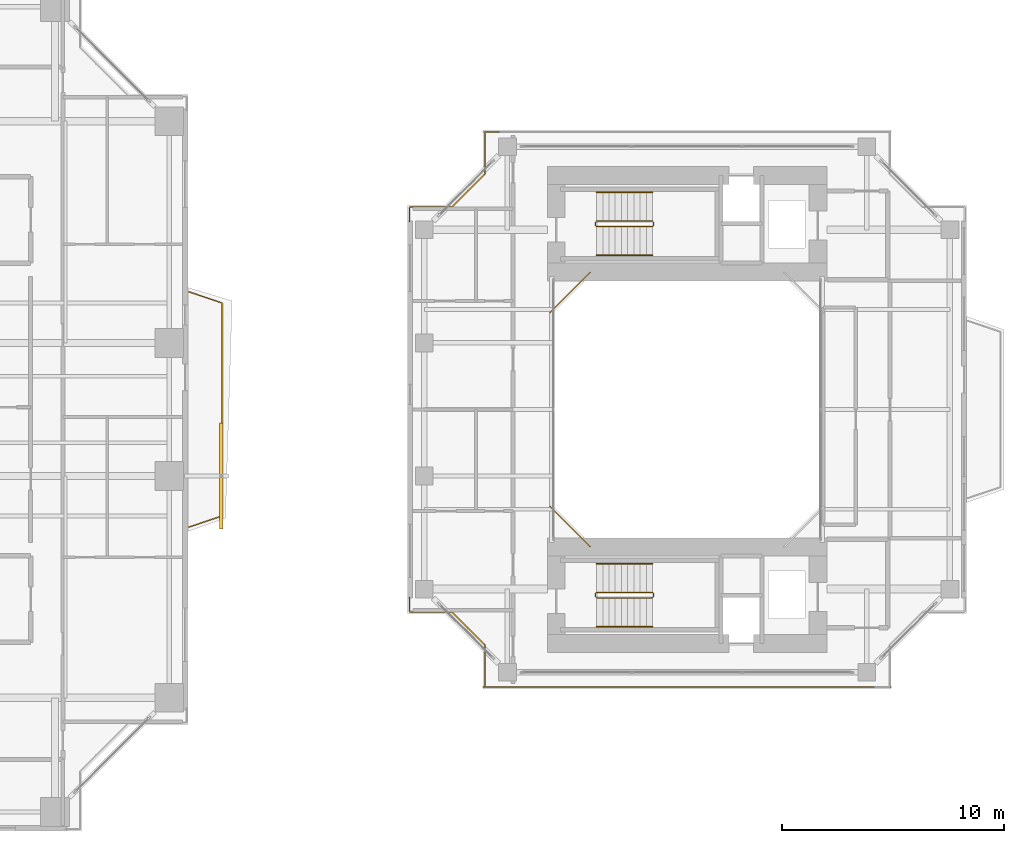
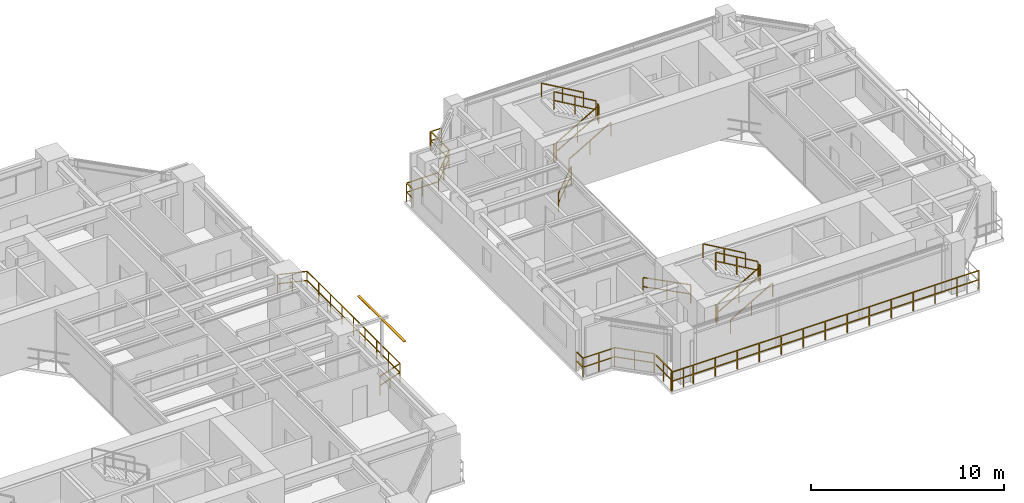
# One storey, part 21 of 23: 18 railings, 1 shading device.
"""IFC4 building model written with IfcOpenShell, lengths in metres."""

import ifcopenshell
import ifcopenshell.guid

model = None  # the IFC model being written
_history = None  # IfcOwnerHistory: only IFC2X3 demands one
_inside = {}  # id of a spatial element -> (the spatial element, [elements in it])
_under = {}  # id of a project, library or spatial element -> (it, [spatial elements below it])
_declared = {}  # id of a project -> (the project, [libraries it declares])
_typed = {}  # id of a type object -> (the type object, [elements of that type])
_made_of = {}  # id of a material, layer set ... -> (it, [elements and type objects made of it])


def new_model(schema):
    """Start an empty IFC model of exactly this schema.

    Asked for "IFC4X3", IfcOpenShell would pick the latest addendum, in which some entities
    have other attributes; the version numbers below select the first issue.
    IFC2X3 requires an IfcOwnerHistory on every rooted entity: one is made here for all.
    """
    global model, _history
    if schema == "IFC4X3":
        model = ifcopenshell.file(schema_version=(4, 3, 0, 0))
    else:
        model = ifcopenshell.file(schema=schema)
    _inside.clear()
    _under.clear()
    _declared.clear()
    _typed.clear()
    _made_of.clear()
    _history = None
    if model.schema == "IFC2X3":
        org = make("IfcOrganization", Name="unknown")
        user = make(
            "IfcPersonAndOrganization",
            ThePerson=make("IfcPerson", FamilyName="unknown"),
            TheOrganization=org,
        )
        app = make(
            "IfcApplication",
            ApplicationDeveloper=org,
            Version="unknown",
            ApplicationFullName="unknown",
            ApplicationIdentifier="unknown",
        )
        _history = make(
            "IfcOwnerHistory",
            OwningUser=user,
            OwningApplication=app,
            ChangeAction="ADDED",
            CreationDate=0,
        )
    return model


def make(cls, **values):
    """One entity of the class cls with the attributes given. An attribute that is None is left unset."""
    return model.create_entity(
        cls, **{name: value for name, value in values.items() if value is not None}
    )


def rooted(cls, **values):
    """An entity with a GlobalId (a new one), such as an element, a storey or a relation."""
    return make(cls, GlobalId=ifcopenshell.guid.new(), OwnerHistory=_history, **values)


def si_unit(unit_type, name, prefix=None):
    """IfcSIUnit, for example si_unit("LENGTHUNIT", "METRE", prefix="MILLI")."""
    return make("IfcSIUnit", UnitType=unit_type, Prefix=prefix, Name=name)


def assignment(units):
    """IfcUnitAssignment: the units of a project."""
    return None if units is None else make("IfcUnitAssignment", Units=units)


def point(xyz):
    """IfcCartesianPoint."""
    return None if xyz is None else make("IfcCartesianPoint", Coordinates=xyz)


def direction(xyz):
    """IfcDirection."""
    return None if xyz is None else make("IfcDirection", DirectionRatios=xyz)


def frame(location, z_axis=None, x_axis=None):
    """IfcAxis2Placement3D, a coordinate frame: its origin and axes. An axis left out is left unset."""
    return make(
        "IfcAxis2Placement3D",
        Location=point(location),
        Axis=direction(z_axis),
        RefDirection=direction(x_axis),
    )


def frame_2d(location, x_axis=None):
    """IfcAxis2Placement2D, a coordinate frame in the plane: its origin and x axis."""
    return make(
        "IfcAxis2Placement2D", Location=point(location), RefDirection=direction(x_axis)
    )


def origin():
    """The frame at (0, 0, 0) with its axes left unset."""
    return frame((0.0, 0.0, 0.0))


def origin_2d():
    """The frame at (0, 0) in the plane with its x axis left unset."""
    return frame_2d((0.0, 0.0))


def place(relative_to, where):
    """IfcLocalPlacement: puts the frame where relative to a parent placement (None: the world)."""
    return make(
        "IfcLocalPlacement", PlacementRelTo=relative_to, RelativePlacement=where
    )


def context(
    kind, dimensions, precision=None, world=None, true_north=None, identifier=None
):
    """IfcGeometricRepresentationContext, for example the 3D "Model" context."""
    return make(
        "IfcGeometricRepresentationContext",
        ContextIdentifier=identifier,
        ContextType=kind,
        CoordinateSpaceDimension=dimensions,
        Precision=precision,
        WorldCoordinateSystem=world,
        TrueNorth=true_north,
    )


def subcontext(parent, identifier, kind, view, scale=None):
    """IfcGeometricRepresentationSubContext, for example "Body" below "Model"."""
    return make(
        "IfcGeometricRepresentationSubContext",
        ContextIdentifier=identifier,
        ContextType=kind,
        ParentContext=parent,
        TargetScale=scale,
        TargetView=view,
    )


def project(units=None, contexts=None):
    """IfcProject with its units and contexts."""
    return rooted(
        "IfcProject",
        Name="project",
        RepresentationContexts=contexts,
        UnitsInContext=assignment(units),
    )


def spatial(cls, under=None, at=None, **own):
    """A site, building, storey or space (cls), placed at a placement, below another one or the project."""
    s = rooted(cls, ObjectPlacement=at, **own)
    if under is not None:
        _under.setdefault(under.id(), (under, []))[1].append(s)
    return s


def profile(cls, at=None, kind="AREA", **sizes):
    """A parametric profile (cls). Its sizes go by their IFC names, for example OverallWidth=200.0."""
    return make(cls, ProfileType=kind, Position=at, **sizes)


def rectangle(**sizes):
    """IfcRectangleProfileDef."""
    return profile("IfcRectangleProfileDef", **sizes)


def extrude(swept, where, along, depth):
    """IfcExtrudedAreaSolid: the profile swept, set in the frame where, extruded along a direction by depth."""
    return make(
        "IfcExtrudedAreaSolid",
        SweptArea=swept,
        Position=where,
        ExtrudedDirection=direction(along),
        Depth=depth,
    )


def shape(context_of_items, identifier, shape_type, items):
    """IfcShapeRepresentation: the items that make up one representation, for example the "Body"."""
    return make(
        "IfcShapeRepresentation",
        ContextOfItems=context_of_items,
        RepresentationIdentifier=identifier,
        RepresentationType=shape_type,
        Items=items,
    )


def source(mapping_origin, context_of_items, identifier, shape_type, items):
    """IfcRepresentationMap: a shape defined once, which mapped items show again and again."""
    return make(
        "IfcRepresentationMap",
        MappingOrigin=mapping_origin,
        MappedRepresentation=shape(context_of_items, identifier, shape_type, items),
    )


def transform(
    local_origin,
    x_axis=None,
    y_axis=None,
    z_axis=None,
    scale=None,
    scale2=None,
    scale3=None,
    uniform=True,
):
    """IfcCartesianTransformationOperator3D, or its non-uniform kind. x_axis, y_axis, z_axis: its Axis1, 2, 3."""
    if uniform:
        return make(
            "IfcCartesianTransformationOperator3D",
            Axis1=direction(x_axis),
            Axis2=direction(y_axis),
            LocalOrigin=point(local_origin),
            Scale=scale,
            Axis3=direction(z_axis),
        )
    return make(
        "IfcCartesianTransformationOperator3DnonUniform",
        Axis1=direction(x_axis),
        Axis2=direction(y_axis),
        LocalOrigin=point(local_origin),
        Scale=scale,
        Axis3=direction(z_axis),
        Scale2=scale2,
        Scale3=scale3,
    )


def mapped(mapping_source, mapping_target):
    """IfcMappedItem: shows the shape of a source again, moved by a transform."""
    return make(
        "IfcMappedItem", MappingSource=mapping_source, MappingTarget=mapping_target
    )


def material(Name=None, Category=None):
    """IfcMaterial."""
    return make("IfcMaterial", Name=Name, Category=Category)


def material_profile(
    of_material, cross_section, Name=None, Category=None, Priority=None
):
    """IfcMaterialProfile: a cross section and its material."""
    return make(
        "IfcMaterialProfile",
        Name=Name,
        Material=of_material,
        Profile=cross_section,
        Priority=Priority,
        Category=Category,
    )


def profile_set(profiles, Name=None, composite=None):
    """IfcMaterialProfileSet."""
    return make(
        "IfcMaterialProfileSet",
        Name=Name,
        MaterialProfiles=profiles,
        CompositeProfile=composite,
    )


def made_of(thing, what):
    """Note that an element or type object is made of a material, layer set ...; save() writes the relation."""
    if what is not None:
        _made_of.setdefault(what.id(), (what, []))[1].append(thing)
    return thing


def type_object(cls, material=None, **own):
    """A type object (cls), such as IfcWallType, which elements share."""
    return made_of(rooted(cls, **own), material)


def element(
    cls,
    number,
    at=None,
    inside=None,
    cuts=None,
    type_object=None,
    material=None,
    context=None,
    identifier="Body",
    shape_type=None,
    held_by="IfcProductDefinitionShape",
    body=None,
    shapes=None,
    **own,
):
    """One element of the class cls, such as IfcWall. Its Tag is "e" and its number.

    at: its placement. inside: the storey or other place that contains it. cuts: it is an
    opening in that element (IfcRelVoidsElement). A single representation is given by context,
    identifier, shape_type and body (its items); several are given by shapes. held_by: the class
    of the entity that holds the representations. save() writes the other relations.
    """
    e = rooted(cls, Tag="e%d" % number, ObjectPlacement=at, **own)
    if body is not None:
        shapes = [shape(context, identifier, shape_type, body)]
    if shapes is not None:
        e.Representation = make(held_by, Representations=shapes)
    if inside is not None:
        _inside.setdefault(inside.id(), (inside, []))[1].append(e)
    if cuts is not None:
        rooted(
            "IfcRelVoidsElement", RelatingBuildingElement=cuts, RelatedOpeningElement=e
        )
    if type_object is not None:
        _typed.setdefault(type_object.id(), (type_object, []))[1].append(e)
    return made_of(e, material)


def aggregate(whole, parts):
    """IfcRelAggregates: a whole, such as a stair, and the parts it consists of."""
    return rooted("IfcRelAggregates", RelatingObject=whole, RelatedObjects=parts)


def save(model, path):
    """Write the relations noted so far, then the file.

    IfcRelAggregates (storeys below a building ...), IfcRelContainedInSpatialStructure (elements
    in a storey), IfcRelDefinesByType, IfcRelAssociatesMaterial and IfcRelDeclares: one each for
    every whole, place, type object, material and project.
    """
    for whole, parts in _under.values():
        aggregate(whole, parts)
    for where, things in _inside.values():
        rooted(
            "IfcRelContainedInSpatialStructure",
            RelatedElements=things,
            RelatingStructure=where,
        )
    for kind, things in _typed.values():
        rooted("IfcRelDefinesByType", RelatedObjects=things, RelatingType=kind)
    for what, things in _made_of.values():
        rooted("IfcRelAssociatesMaterial", RelatedObjects=things, RelatingMaterial=what)
    for by, libraries in _declared.values():
        rooted("IfcRelDeclares", RelatingContext=by, RelatedDefinitions=libraries)
    model.write(path)


model = new_model("IFC4")

# Units and contexts
model_context = context("Model", 3, precision=1e-05, world=origin(), true_north=direction((0.0, 1.0)))
body_context = subcontext(model_context, "Body", "Model", "MODEL_VIEW")
ifc_project = project(units=[si_unit("LENGTHUNIT", "METRE"), si_unit("AREAUNIT", "SQUARE_METRE"), si_unit("VOLUMEUNIT", "CUBIC_METRE"), si_unit("PLANEANGLEUNIT", "RADIAN"), si_unit("MASSUNIT", "GRAM", prefix="KILO"), si_unit("THERMODYNAMICTEMPERATUREUNIT", "KELVIN"), si_unit("POWERUNIT", "WATT")], contexts=[model_context])

# Site, building, storey
site_placement = place(None, origin())
site = spatial("IfcSite", under=ifc_project, at=site_placement, CompositionType="ELEMENT")
building_placement = place(site_placement, origin())
building = spatial("IfcBuilding", under=site, at=building_placement, Name="Qiaomeng Ring Towers", CompositionType="ELEMENT")
storey_placement = place(building_placement, frame((0.0, 0.0, 89.25)))
storey = spatial("IfcBuildingStorey", under=building, at=storey_placement, Name="L25", CompositionType="ELEMENT", Elevation=89.25)

# Railings
ifc_material_1 = material(Name="Low-E pale-green laminated safety glass", Category="glass")
railing_type_1 = type_object("IfcRailingType", Name="ARC-RL-BAL1", PredefinedType="BALUSTRADE", material=ifc_material_1)
railing_1_placement = place(storey_placement, frame((38.050048828125, 17.699951171875, 0.0)))
element("IfcRailing", 1, at=railing_1_placement, inside=storey, type_object=railing_type_1, Name="L25 Balustrade ARC-BAL-L25-T1-E", PredefinedType="BALUSTRADE", context=body_context, shape_type="SweptSolid", body=[
    extrude(rectangle(XDim=0.048095703125, YDim=0.048095703125, at=origin_2d()), frame((0.0, 0.0, 1.17578125), z_axis=(0.948044476945, 0.318137815629, 0.0), x_axis=(-0.318137815629, 0.948044476945, 0.0)), (0.0, 0.0, 1.0), 1.571533203125),
    extrude(rectangle(XDim=0.048095703125, YDim=0.048095703125, at=origin_2d()), frame((0.0, 0.0, 0.60009765625), z_axis=(0.948044476945, 0.318137815629, 0.0), x_axis=(-0.318137815629, 0.948044476945, 0.0)), (0.0, 0.0, 1.0), 1.571533203125),
    extrude(rectangle(XDim=0.048095703125, YDim=0.048095703125, at=origin_2d()), frame((1.489990234375, 0.5, 1.17578125), z_axis=(0.0, 1.0, 0.0), x_axis=(-1.0, 0.0, 0.0)), (0.0, 0.0, 1.0), 9.60009765625),
    extrude(rectangle(XDim=0.048095703125, YDim=0.048095703125, at=origin_2d()), frame((1.489990234375, 0.5, 0.60009765625), z_axis=(0.0, 1.0, 0.0), x_axis=(-1.0, 0.0, 0.0)), (0.0, 0.0, 1.0), 9.60009765625),
    extrude(rectangle(XDim=0.048095703125, YDim=0.048095703125, at=origin_2d()), frame((1.489990234375, 10.10009765625, 1.17578125), z_axis=(-0.948044476945, 0.318137815629, 0.0), x_axis=(-0.318137815629, -0.948044476945, 0.0)), (0.0, 0.0, 1.0), 1.571533203125),
    extrude(rectangle(XDim=0.048095703125, YDim=0.048095703125, at=origin_2d()), frame((1.489990234375, 10.10009765625, 0.60009765625), z_axis=(-0.948044476945, 0.318137815629, 0.0), x_axis=(-0.318137815629, -0.948044476945, 0.0)), (0.0, 0.0, 1.0), 1.571533203125),
    extrude(rectangle(XDim=0.0419921875, YDim=0.0419921875, at=origin_2d()), origin(), (0.0, 0.0, 1.0), 1.15185546875),
    extrude(rectangle(XDim=0.0419921875, YDim=0.0419921875, at=origin_2d()), frame((0.7451171875, 0.25, 0.0)), (0.0, 0.0, 1.0), 1.15185546875),
    extrude(rectangle(XDim=0.0419921875, YDim=0.0419921875, at=origin_2d()), frame((1.489990234375, 0.5, 0.0)), (0.0, 0.0, 1.0), 1.15185546875),
    extrude(rectangle(XDim=0.0419921875, YDim=0.0419921875, at=origin_2d()), frame((1.489990234375, 1.699951171875, 0.0)), (0.0, 0.0, 1.0), 1.15185546875),
    extrude(rectangle(XDim=0.0419921875, YDim=0.0419921875, at=origin_2d()), frame((1.489990234375, 2.89990234375, 0.0)), (0.0, 0.0, 1.0), 1.15185546875),
    extrude(rectangle(XDim=0.0419921875, YDim=0.0419921875, at=origin_2d()), frame((1.489990234375, 4.10009765625, 0.0)), (0.0, 0.0, 1.0), 1.15185546875),
    extrude(rectangle(XDim=0.0419921875, YDim=0.0419921875, at=origin_2d()), frame((1.489990234375, 5.300048828125, 0.0)), (0.0, 0.0, 1.0), 1.15185546875),
    extrude(rectangle(XDim=0.0419921875, YDim=0.0419921875, at=origin_2d()), frame((1.489990234375, 6.5, 0.0)), (0.0, 0.0, 1.0), 1.15185546875),
    extrude(rectangle(XDim=0.0419921875, YDim=0.0419921875, at=origin_2d()), frame((1.489990234375, 7.7001953125, 0.0)), (0.0, 0.0, 1.0), 1.15185546875),
    extrude(rectangle(XDim=0.0419921875, YDim=0.0419921875, at=origin_2d()), frame((1.489990234375, 8.900146484375, 0.0)), (0.0, 0.0, 1.0), 1.15185546875),
    extrude(rectangle(XDim=0.0419921875, YDim=0.0419921875, at=origin_2d()), frame((1.489990234375, 10.10009765625, 0.0)), (0.0, 0.0, 1.0), 1.15185546875),
    extrude(rectangle(XDim=0.0419921875, YDim=0.0419921875, at=origin_2d()), frame((0.7451171875, 10.35009765625, 0.0)), (0.0, 0.0, 1.0), 1.15185546875),
    extrude(rectangle(XDim=0.0419921875, YDim=0.0419921875, at=origin_2d()), frame((0.0, 10.60009765625, 0.0)), (0.0, 0.0, 1.0), 1.15185546875),
])
railing_2_placement = place(storey_placement, frame((56.1201171875, 29.179931640625, 0.0)))
element("IfcRailing", 2, at=railing_2_placement, inside=storey, type_object=railing_type_1, Name="L25 Balustrade ARC-BAL-WELL2-L25-3", PredefinedType="BALUSTRADE", context=body_context, shape_type="SweptSolid", body=[
    extrude(rectangle(XDim=0.048095703125, YDim=0.048095703125, at=origin_2d()), frame((0.0, 0.0, 1.17578125), z_axis=(-0.707106781187, -0.707106781187, 0.0), x_axis=(0.707106781187, -0.707106781187, 0.0)), (0.0, 0.0, 1.0), 2.545654296875),
    extrude(rectangle(XDim=0.048095703125, YDim=0.048095703125, at=origin_2d()), frame((0.0, 0.0, 0.60009765625), z_axis=(-0.707106781187, -0.707106781187, 0.0), x_axis=(0.707106781187, -0.707106781187, 0.0)), (0.0, 0.0, 1.0), 2.545654296875),
    extrude(rectangle(XDim=0.0419921875, YDim=0.0419921875, at=origin_2d()), origin(), (0.0, 0.0, 1.0), 1.15185546875),
    extrude(rectangle(XDim=0.0419921875, YDim=0.0419921875, at=origin_2d()), frame((-0.89990234375, -0.89990234375, 0.0)), (0.0, 0.0, 1.0), 1.15185546875),
    extrude(rectangle(XDim=0.0419921875, YDim=0.0419921875, at=origin_2d()), frame((-1.800048828125, -1.800048828125, 0.0)), (0.0, 0.0, 1.0), 1.15185546875),
])
railing_3_placement = place(storey_placement, frame((54.320068359375, 18.6201171875, 0.0)))
element("IfcRailing", 3, at=railing_3_placement, inside=storey, type_object=railing_type_1, Name="L25 Balustrade ARC-BAL-WELL2-L25-4", PredefinedType="BALUSTRADE", context=body_context, shape_type="SweptSolid", body=[
    extrude(rectangle(XDim=0.048095703125, YDim=0.048095703125, at=origin_2d()), frame((0.0, 0.0, 1.17578125), z_axis=(0.707106781187, -0.707106781187, 0.0), x_axis=(0.707106781187, 0.707106781187, 0.0)), (0.0, 0.0, 1.0), 2.545654296875),
    extrude(rectangle(XDim=0.048095703125, YDim=0.048095703125, at=origin_2d()), frame((0.0, 0.0, 0.60009765625), z_axis=(0.707106781187, -0.707106781187, 0.0), x_axis=(0.707106781187, 0.707106781187, 0.0)), (0.0, 0.0, 1.0), 2.545654296875),
    extrude(rectangle(XDim=0.0419921875, YDim=0.0419921875, at=origin_2d()), origin(), (0.0, 0.0, 1.0), 1.15185546875),
    extrude(rectangle(XDim=0.0419921875, YDim=0.0419921875, at=origin_2d()), frame((0.89990234375, -0.89990234375, 0.0)), (0.0, 0.0, 1.0), 1.15185546875),
    extrude(rectangle(XDim=0.0419921875, YDim=0.0419921875, at=origin_2d()), frame((1.800048828125, -1.800048828125, 0.0)), (0.0, 0.0, 1.0), 1.15185546875),
])
railing_4_placement = place(storey_placement, frame((52.030029296875, 35.52001953125, 0.0)))
element("IfcRailing", 4, at=railing_4_placement, inside=storey, type_object=railing_type_1, Name="L25 Balustrade ARC-BAL-NOTCH2-L25-NW", PredefinedType="BALUSTRADE", context=body_context, shape_type="SweptSolid", body=[
    extrude(rectangle(XDim=0.048095703125, YDim=0.048095703125, at=origin_2d()), frame((0.0, 0.0, 1.17578125), z_axis=(-1.0, 0.0, 0.0), x_axis=(0.0, -1.0, 0.0)), (0.0, 0.0, 1.0), 0.650146484375),
    extrude(rectangle(XDim=0.048095703125, YDim=0.048095703125, at=origin_2d()), frame((0.0, 0.0, 0.60009765625), z_axis=(-1.0, 0.0, 0.0), x_axis=(0.0, -1.0, 0.0)), (0.0, 0.0, 1.0), 0.650146484375),
    extrude(rectangle(XDim=0.048095703125, YDim=0.048095703125, at=origin_2d()), frame((-0.650146484375, 0.0, 1.17578125), z_axis=(0.0, -1.0, 0.0), x_axis=(1.0, 0.0, 0.0)), (0.0, 0.0, 1.0), 1.89990234375),
    extrude(rectangle(XDim=0.048095703125, YDim=0.048095703125, at=origin_2d()), frame((-0.650146484375, 0.0, 0.60009765625), z_axis=(0.0, -1.0, 0.0), x_axis=(1.0, 0.0, 0.0)), (0.0, 0.0, 1.0), 1.89990234375),
    extrude(rectangle(XDim=0.048095703125, YDim=0.048095703125, at=origin_2d()), frame((-0.650146484375, -1.89990234375, 1.17578125), z_axis=(-0.707106781187, -0.707106781187, 0.0), x_axis=(0.707106781187, -0.707106781187, 0.0)), (0.0, 0.0, 1.0), 2.121337890625),
    extrude(rectangle(XDim=0.048095703125, YDim=0.048095703125, at=origin_2d()), frame((-0.650146484375, -1.89990234375, 0.60009765625), z_axis=(-0.707106781187, -0.707106781187, 0.0), x_axis=(0.707106781187, -0.707106781187, 0.0)), (0.0, 0.0, 1.0), 2.121337890625),
    extrude(rectangle(XDim=0.048095703125, YDim=0.048095703125, at=origin_2d()), frame((-2.150146484375, -3.39990234375, 1.17578125), z_axis=(-1.0, 0.0, 0.0), x_axis=(0.0, -1.0, 0.0)), (0.0, 0.0, 1.0), 1.89990234375),
    extrude(rectangle(XDim=0.048095703125, YDim=0.048095703125, at=origin_2d()), frame((-2.150146484375, -3.39990234375, 0.60009765625), z_axis=(-1.0, 0.0, 0.0), x_axis=(0.0, -1.0, 0.0)), (0.0, 0.0, 1.0), 1.89990234375),
    extrude(rectangle(XDim=0.048095703125, YDim=0.048095703125, at=origin_2d()), frame((-4.050048828125, -3.39990234375, 1.17578125), z_axis=(0.0, -1.0, 0.0), x_axis=(1.0, 0.0, 0.0)), (0.0, 0.0, 1.0), 0.650146484375),
    extrude(rectangle(XDim=0.048095703125, YDim=0.048095703125, at=origin_2d()), frame((-4.050048828125, -3.39990234375, 0.60009765625), z_axis=(0.0, -1.0, 0.0), x_axis=(1.0, 0.0, 0.0)), (0.0, 0.0, 1.0), 0.650146484375),
    extrude(rectangle(XDim=0.0419921875, YDim=0.0419921875, at=origin_2d()), origin(), (0.0, 0.0, 1.0), 1.15185546875),
    extrude(rectangle(XDim=0.0419921875, YDim=0.0419921875, at=origin_2d()), frame((-0.650146484375, 0.0, 0.0)), (0.0, 0.0, 1.0), 1.15185546875),
    extrude(rectangle(XDim=0.0419921875, YDim=0.0419921875, at=origin_2d()), frame((-0.650146484375, -0.949951171875, 0.0)), (0.0, 0.0, 1.0), 1.15185546875),
    extrude(rectangle(XDim=0.0419921875, YDim=0.0419921875, at=origin_2d()), frame((-0.650146484375, -1.89990234375, 0.0)), (0.0, 0.0, 1.0), 1.15185546875),
    extrude(rectangle(XDim=0.0419921875, YDim=0.0419921875, at=origin_2d()), frame((-1.400146484375, -2.64990234375, 0.0)), (0.0, 0.0, 1.0), 1.15185546875),
    extrude(rectangle(XDim=0.0419921875, YDim=0.0419921875, at=origin_2d()), frame((-2.150146484375, -3.39990234375, 0.0)), (0.0, 0.0, 1.0), 1.15185546875),
    extrude(rectangle(XDim=0.0419921875, YDim=0.0419921875, at=origin_2d()), frame((-3.10009765625, -3.39990234375, 0.0)), (0.0, 0.0, 1.0), 1.15185546875),
    extrude(rectangle(XDim=0.0419921875, YDim=0.0419921875, at=origin_2d()), frame((-4.050048828125, -3.39990234375, 0.0)), (0.0, 0.0, 1.0), 1.15185546875),
    extrude(rectangle(XDim=0.0419921875, YDim=0.0419921875, at=origin_2d()), frame((-4.050048828125, -4.050048828125, 0.0)), (0.0, 0.0, 1.0), 1.15185546875),
])
railing_5_placement = place(storey_placement, frame((47.97998046875, 14.530029296875, 0.0)))
element("IfcRailing", 5, at=railing_5_placement, inside=storey, type_object=railing_type_1, Name="L25 Balustrade ARC-BAL-NOTCH2-L25-SW", PredefinedType="BALUSTRADE", context=body_context, shape_type="SweptSolid", body=[
    extrude(rectangle(XDim=0.048095703125, YDim=0.048095703125, at=origin_2d()), frame((0.0, 0.0, 1.17578125), z_axis=(0.0, -1.0, 0.0), x_axis=(1.0, 0.0, 0.0)), (0.0, 0.0, 1.0), 0.650146484375),
    extrude(rectangle(XDim=0.048095703125, YDim=0.048095703125, at=origin_2d()), frame((0.0, 0.0, 0.60009765625), z_axis=(0.0, -1.0, 0.0), x_axis=(1.0, 0.0, 0.0)), (0.0, 0.0, 1.0), 0.650146484375),
    extrude(rectangle(XDim=0.048095703125, YDim=0.048095703125, at=origin_2d()), frame((0.0, -0.650146484375, 1.17578125), z_axis=(1.0, 0.0, 0.0), x_axis=(0.0, 1.0, 0.0)), (0.0, 0.0, 1.0), 1.89990234375),
    extrude(rectangle(XDim=0.048095703125, YDim=0.048095703125, at=origin_2d()), frame((0.0, -0.650146484375, 0.60009765625), z_axis=(1.0, 0.0, 0.0), x_axis=(0.0, 1.0, 0.0)), (0.0, 0.0, 1.0), 1.89990234375),
    extrude(rectangle(XDim=0.048095703125, YDim=0.048095703125, at=origin_2d()), frame((1.89990234375, -0.650146484375, 1.17578125), z_axis=(0.707106781187, -0.707106781187, 0.0), x_axis=(0.707106781187, 0.707106781187, 0.0)), (0.0, 0.0, 1.0), 2.121337890625),
    extrude(rectangle(XDim=0.048095703125, YDim=0.048095703125, at=origin_2d()), frame((1.89990234375, -0.650146484375, 0.60009765625), z_axis=(0.707106781187, -0.707106781187, 0.0), x_axis=(0.707106781187, 0.707106781187, 0.0)), (0.0, 0.0, 1.0), 2.121337890625),
    extrude(rectangle(XDim=0.048095703125, YDim=0.048095703125, at=origin_2d()), frame((3.39990234375, -2.150146484375, 1.17578125), z_axis=(0.0, -1.0, 0.0), x_axis=(1.0, 0.0, 0.0)), (0.0, 0.0, 1.0), 1.89990234375),
    extrude(rectangle(XDim=0.048095703125, YDim=0.048095703125, at=origin_2d()), frame((3.39990234375, -2.150146484375, 0.60009765625), z_axis=(0.0, -1.0, 0.0), x_axis=(1.0, 0.0, 0.0)), (0.0, 0.0, 1.0), 1.89990234375),
    extrude(rectangle(XDim=0.048095703125, YDim=0.048095703125, at=origin_2d()), frame((3.39990234375, -4.050048828125, 1.17578125), z_axis=(1.0, 0.0, 0.0), x_axis=(0.0, 1.0, 0.0)), (0.0, 0.0, 1.0), 0.650146484375),
    extrude(rectangle(XDim=0.048095703125, YDim=0.048095703125, at=origin_2d()), frame((3.39990234375, -4.050048828125, 0.60009765625), z_axis=(1.0, 0.0, 0.0), x_axis=(0.0, 1.0, 0.0)), (0.0, 0.0, 1.0), 0.650146484375),
    extrude(rectangle(XDim=0.0419921875, YDim=0.0419921875, at=origin_2d()), origin(), (0.0, 0.0, 1.0), 1.15185546875),
    extrude(rectangle(XDim=0.0419921875, YDim=0.0419921875, at=origin_2d()), frame((0.0, -0.650146484375, 0.0)), (0.0, 0.0, 1.0), 1.15185546875),
    extrude(rectangle(XDim=0.0419921875, YDim=0.0419921875, at=origin_2d()), frame((0.949951171875, -0.650146484375, 0.0)), (0.0, 0.0, 1.0), 1.15185546875),
    extrude(rectangle(XDim=0.0419921875, YDim=0.0419921875, at=origin_2d()), frame((1.89990234375, -0.650146484375, 0.0)), (0.0, 0.0, 1.0), 1.15185546875),
    extrude(rectangle(XDim=0.0419921875, YDim=0.0419921875, at=origin_2d()), frame((2.64990234375, -1.400146484375, 0.0)), (0.0, 0.0, 1.0), 1.15185546875),
    extrude(rectangle(XDim=0.0419921875, YDim=0.0419921875, at=origin_2d()), frame((3.39990234375, -2.150146484375, 0.0)), (0.0, 0.0, 1.0), 1.15185546875),
    extrude(rectangle(XDim=0.0419921875, YDim=0.0419921875, at=origin_2d()), frame((3.39990234375, -3.10009765625, 0.0)), (0.0, 0.0, 1.0), 1.15185546875),
    extrude(rectangle(XDim=0.0419921875, YDim=0.0419921875, at=origin_2d()), frame((3.39990234375, -4.050048828125, 0.0)), (0.0, 0.0, 1.0), 1.15185546875),
    extrude(rectangle(XDim=0.0419921875, YDim=0.0419921875, at=origin_2d()), frame((4.050048828125, -4.050048828125, 0.0)), (0.0, 0.0, 1.0), 1.15185546875),
])
railing_6_placement = place(storey_placement, frame((51.300048828125, 10.47998046875, 0.0)))
element("IfcRailing", 6, at=railing_6_placement, inside=storey, type_object=railing_type_1, Name="L25 Balustrade ARC-BAL-T2S-L25", PredefinedType="BALUSTRADE", context=body_context, shape_type="SweptSolid", body=[
    extrude(rectangle(XDim=0.048095703125, YDim=0.048095703125, at=origin_2d()), frame((0.0, 0.0, 1.17578125), z_axis=(1.0, 0.0, 0.0), x_axis=(0.0, 1.0, 0.0)), (0.0, 0.0, 1.0), 18.39990234375),
    extrude(rectangle(XDim=0.048095703125, YDim=0.048095703125, at=origin_2d()), frame((0.0, 0.0, 0.60009765625), z_axis=(1.0, 0.0, 0.0), x_axis=(0.0, 1.0, 0.0)), (0.0, 0.0, 1.0), 18.39990234375),
    extrude(rectangle(XDim=0.0419921875, YDim=0.0419921875, at=origin_2d()), origin(), (0.0, 0.0, 1.0), 1.15185546875),
    extrude(rectangle(XDim=0.0419921875, YDim=0.0419921875, at=origin_2d()), frame((1.314208984375, 0.0, 0.0)), (0.0, 0.0, 1.0), 1.15185546875),
    extrude(rectangle(XDim=0.0419921875, YDim=0.0419921875, at=origin_2d()), frame((2.628662109375, 0.0, 0.0)), (0.0, 0.0, 1.0), 1.15185546875),
    extrude(rectangle(XDim=0.0419921875, YDim=0.0419921875, at=origin_2d()), frame((3.94287109375, 0.0, 0.0)), (0.0, 0.0, 1.0), 1.15185546875),
    extrude(rectangle(XDim=0.0419921875, YDim=0.0419921875, at=origin_2d()), frame((5.257080078125, 0.0, 0.0)), (0.0, 0.0, 1.0), 1.15185546875),
    extrude(rectangle(XDim=0.0419921875, YDim=0.0419921875, at=origin_2d()), frame((6.5712890625, 0.0, 0.0)), (0.0, 0.0, 1.0), 1.15185546875),
    extrude(rectangle(XDim=0.0419921875, YDim=0.0419921875, at=origin_2d()), frame((7.8857421875, 0.0, 0.0)), (0.0, 0.0, 1.0), 1.15185546875),
    extrude(rectangle(XDim=0.0419921875, YDim=0.0419921875, at=origin_2d()), frame((9.199951171875, 0.0, 0.0)), (0.0, 0.0, 1.0), 1.15185546875),
    extrude(rectangle(XDim=0.0419921875, YDim=0.0419921875, at=origin_2d()), frame((10.51416015625, 0.0, 0.0)), (0.0, 0.0, 1.0), 1.15185546875),
    extrude(rectangle(XDim=0.0419921875, YDim=0.0419921875, at=origin_2d()), frame((11.82861328125, 0.0, 0.0)), (0.0, 0.0, 1.0), 1.15185546875),
    extrude(rectangle(XDim=0.0419921875, YDim=0.0419921875, at=origin_2d()), frame((13.142822265625, 0.0, 0.0)), (0.0, 0.0, 1.0), 1.15185546875),
    extrude(rectangle(XDim=0.0419921875, YDim=0.0419921875, at=origin_2d()), frame((14.45703125, 0.0, 0.0)), (0.0, 0.0, 1.0), 1.15185546875),
    extrude(rectangle(XDim=0.0419921875, YDim=0.0419921875, at=origin_2d()), frame((15.771240234375, 0.0, 0.0)), (0.0, 0.0, 1.0), 1.15185546875),
    extrude(rectangle(XDim=0.0419921875, YDim=0.0419921875, at=origin_2d()), frame((17.085693359375, 0.0, 0.0)), (0.0, 0.0, 1.0), 1.15185546875),
    extrude(rectangle(XDim=0.0419921875, YDim=0.0419921875, at=origin_2d()), frame((18.39990234375, 0.0, 0.0)), (0.0, 0.0, 1.0), 1.15185546875),
])
ifc_material_2 = material(Name="Galvanised steel", Category="steel")
railing_type_2 = type_object("IfcRailingType", Name="ARC-RL-GUARD", PredefinedType="GUARDRAIL", material=ifc_material_2)
railing_7_placement = place(storey_placement, frame((56.419921875, 31.25, 0.16259765625)))
element("IfcRailing", 7, at=railing_7_placement, inside=storey, type_object=railing_type_2, Name="L25 ST5 stair guard 1", PredefinedType="GUARDRAIL", context=body_context, shape_type="SweptSolid", body=[
    extrude(rectangle(XDim=0.048095703125, YDim=0.048095703125, at=origin_2d()), frame((0.0, 0.0, 1.1259765625), z_axis=(0.864913338283, 0.0, 0.50192122615), x_axis=(0.0, 1.0, 0.0)), (0.0, 0.0, 1.0), 2.91357421875),
    extrude(rectangle(XDim=0.048095703125, YDim=0.048095703125, at=origin_2d()), frame((0.0, 0.0, 0.574951171875), z_axis=(0.864913338283, 0.0, 0.50192122615), x_axis=(0.0, 1.0, 0.0)), (0.0, 0.0, 1.0), 2.91357421875),
    extrude(rectangle(XDim=0.0419921875, YDim=0.0419921875, at=origin_2d()), origin(), (0.0, 0.0, 1.0), 1.101806640625),
    extrude(rectangle(XDim=0.0419921875, YDim=0.0419921875, at=origin_2d()), frame((1.260009765625, 0.0, 0.731201171875)), (0.0, 0.0, 1.0), 1.101806640625),
    extrude(rectangle(XDim=0.0419921875, YDim=0.0419921875, at=origin_2d()), frame((2.52001953125, 0.0, 1.46240234375)), (0.0, 0.0, 1.0), 1.101806640625),
])
railing_8_placement = place(storey_placement, frame((58.989990234375, 31.300048828125, 1.625)))
element("IfcRailing", 8, at=railing_8_placement, inside=storey, type_object=railing_type_2, Name="L25 ST5 stair guard 2", PredefinedType="GUARDRAIL", context=body_context, shape_type="SweptSolid", body=[
    extrude(rectangle(XDim=0.048095703125, YDim=0.048095703125, at=origin_2d()), frame((0.0, 0.0, 1.1259765625), z_axis=(0.0, 1.0, 0.0), x_axis=(-1.0, 0.0, 0.0)), (0.0, 0.0, 1.0), 0.139892578125),
    extrude(rectangle(XDim=0.048095703125, YDim=0.048095703125, at=origin_2d()), frame((0.0, 0.0, 0.574951171875), z_axis=(0.0, 1.0, 0.0), x_axis=(-1.0, 0.0, 0.0)), (0.0, 0.0, 1.0), 0.139892578125),
    extrude(rectangle(XDim=0.0419921875, YDim=0.0419921875, at=origin_2d()), origin(), (0.0, 0.0, 1.0), 1.101806640625),
    extrude(rectangle(XDim=0.0419921875, YDim=0.0419921875, at=origin_2d()), frame((0.0, 0.139892578125, 0.0)), (0.0, 0.0, 1.0), 1.101806640625),
])
railing_9_placement = place(storey_placement, frame((58.93994140625, 31.489990234375, 1.78759765625)))
element("IfcRailing", 9, at=railing_9_placement, inside=storey, type_object=railing_type_2, Name="L25 ST5 stair guard 3", PredefinedType="GUARDRAIL", context=body_context, shape_type="SweptSolid", body=[
    extrude(rectangle(XDim=0.048095703125, YDim=0.048095703125, at=origin_2d()), frame((0.0, 0.0, 1.1259765625), z_axis=(-0.864913338283, 0.0, 0.50192122615), x_axis=(0.0, -1.0, 0.0)), (0.0, 0.0, 1.0), 2.91357421875),
    extrude(rectangle(XDim=0.048095703125, YDim=0.048095703125, at=origin_2d()), frame((0.0, 0.0, 0.574951171875), z_axis=(-0.864913338283, 0.0, 0.50192122615), x_axis=(0.0, -1.0, 0.0)), (0.0, 0.0, 1.0), 2.91357421875),
    extrude(rectangle(XDim=0.0419921875, YDim=0.0419921875, at=origin_2d()), origin(), (0.0, 0.0, 1.0), 1.101806640625),
    extrude(rectangle(XDim=0.0419921875, YDim=0.0419921875, at=origin_2d()), frame((-1.260009765625, 0.0, 0.731201171875)), (0.0, 0.0, 1.0), 1.101806640625),
    extrude(rectangle(XDim=0.0419921875, YDim=0.0419921875, at=origin_2d()), frame((-2.52001953125, 0.0, 1.46240234375)), (0.0, 0.0, 1.0), 1.101806640625),
])
railing_10_placement = place(storey_placement, frame((56.3701171875, 31.300048828125, 0.0)))
element("IfcRailing", 10, at=railing_10_placement, inside=storey, type_object=railing_type_2, Name="L25 ST5 stair guard 4", PredefinedType="GUARDRAIL", context=body_context, shape_type="SweptSolid", body=[
    extrude(rectangle(XDim=0.048095703125, YDim=0.048095703125, at=origin_2d()), frame((0.0, 0.0, 1.1259765625), z_axis=(0.0, 1.0, 0.0), x_axis=(-1.0, 0.0, 0.0)), (0.0, 0.0, 1.0), 0.139892578125),
    extrude(rectangle(XDim=0.048095703125, YDim=0.048095703125, at=origin_2d()), frame((0.0, 0.0, 0.574951171875), z_axis=(0.0, 1.0, 0.0), x_axis=(-1.0, 0.0, 0.0)), (0.0, 0.0, 1.0), 0.139892578125),
    extrude(rectangle(XDim=0.0419921875, YDim=0.0419921875, at=origin_2d()), origin(), (0.0, 0.0, 1.0), 1.101806640625),
    extrude(rectangle(XDim=0.0419921875, YDim=0.0419921875, at=origin_2d()), frame((0.0, 0.139892578125, 0.0)), (0.0, 0.0, 1.0), 1.101806640625),
])
railing_11_placement = place(storey_placement, frame((56.419921875, 14.510009765625, 0.16259765625)))
element("IfcRailing", 11, at=railing_11_placement, inside=storey, type_object=railing_type_2, Name="L25 ST6 stair guard 1", PredefinedType="GUARDRAIL", context=body_context, shape_type="SweptSolid", body=[
    extrude(rectangle(XDim=0.048095703125, YDim=0.048095703125, at=origin_2d()), frame((0.0, 0.0, 1.1259765625), z_axis=(0.864913338283, 0.0, 0.50192122615), x_axis=(0.0, 1.0, 0.0)), (0.0, 0.0, 1.0), 2.91357421875),
    extrude(rectangle(XDim=0.048095703125, YDim=0.048095703125, at=origin_2d()), frame((0.0, 0.0, 0.574951171875), z_axis=(0.864913338283, 0.0, 0.50192122615), x_axis=(0.0, 1.0, 0.0)), (0.0, 0.0, 1.0), 2.91357421875),
    extrude(rectangle(XDim=0.0419921875, YDim=0.0419921875, at=origin_2d()), origin(), (0.0, 0.0, 1.0), 1.101806640625),
    extrude(rectangle(XDim=0.0419921875, YDim=0.0419921875, at=origin_2d()), frame((1.260009765625, 0.0, 0.731201171875)), (0.0, 0.0, 1.0), 1.101806640625),
    extrude(rectangle(XDim=0.0419921875, YDim=0.0419921875, at=origin_2d()), frame((2.52001953125, 0.0, 1.46240234375)), (0.0, 0.0, 1.0), 1.101806640625),
])
railing_12_placement = place(storey_placement, frame((58.989990234375, 14.56005859375, 1.625)))
element("IfcRailing", 12, at=railing_12_placement, inside=storey, type_object=railing_type_2, Name="L25 ST6 stair guard 2", PredefinedType="GUARDRAIL", context=body_context, shape_type="SweptSolid", body=[
    extrude(rectangle(XDim=0.048095703125, YDim=0.048095703125, at=origin_2d()), frame((0.0, 0.0, 1.1259765625), z_axis=(0.0, 1.0, 0.0), x_axis=(-1.0, 0.0, 0.0)), (0.0, 0.0, 1.0), 0.139892578125),
    extrude(rectangle(XDim=0.048095703125, YDim=0.048095703125, at=origin_2d()), frame((0.0, 0.0, 0.574951171875), z_axis=(0.0, 1.0, 0.0), x_axis=(-1.0, 0.0, 0.0)), (0.0, 0.0, 1.0), 0.139892578125),
    extrude(rectangle(XDim=0.0419921875, YDim=0.0419921875, at=origin_2d()), origin(), (0.0, 0.0, 1.0), 1.101806640625),
    extrude(rectangle(XDim=0.0419921875, YDim=0.0419921875, at=origin_2d()), frame((0.0, 0.139892578125, 0.0)), (0.0, 0.0, 1.0), 1.101806640625),
])
railing_13_placement = place(storey_placement, frame((58.93994140625, 14.75, 1.78759765625)))
element("IfcRailing", 13, at=railing_13_placement, inside=storey, type_object=railing_type_2, Name="L25 ST6 stair guard 3", PredefinedType="GUARDRAIL", context=body_context, shape_type="SweptSolid", body=[
    extrude(rectangle(XDim=0.048095703125, YDim=0.048095703125, at=origin_2d()), frame((0.0, 0.0, 1.1259765625), z_axis=(-0.864913338283, 0.0, 0.50192122615), x_axis=(0.0, -1.0, 0.0)), (0.0, 0.0, 1.0), 2.91357421875),
    extrude(rectangle(XDim=0.048095703125, YDim=0.048095703125, at=origin_2d()), frame((0.0, 0.0, 0.574951171875), z_axis=(-0.864913338283, 0.0, 0.50192122615), x_axis=(0.0, -1.0, 0.0)), (0.0, 0.0, 1.0), 2.91357421875),
    extrude(rectangle(XDim=0.0419921875, YDim=0.0419921875, at=origin_2d()), origin(), (0.0, 0.0, 1.0), 1.101806640625),
    extrude(rectangle(XDim=0.0419921875, YDim=0.0419921875, at=origin_2d()), frame((-1.260009765625, 0.0, 0.731201171875)), (0.0, 0.0, 1.0), 1.101806640625),
    extrude(rectangle(XDim=0.0419921875, YDim=0.0419921875, at=origin_2d()), frame((-2.52001953125, 0.0, 1.46240234375)), (0.0, 0.0, 1.0), 1.101806640625),
])
railing_14_placement = place(storey_placement, frame((56.3701171875, 14.56005859375, 0.0)))
element("IfcRailing", 14, at=railing_14_placement, inside=storey, type_object=railing_type_2, Name="L25 ST6 stair guard 4", PredefinedType="GUARDRAIL", context=body_context, shape_type="SweptSolid", body=[
    extrude(rectangle(XDim=0.048095703125, YDim=0.048095703125, at=origin_2d()), frame((0.0, 0.0, 1.1259765625), z_axis=(0.0, 1.0, 0.0), x_axis=(-1.0, 0.0, 0.0)), (0.0, 0.0, 1.0), 0.139892578125),
    extrude(rectangle(XDim=0.048095703125, YDim=0.048095703125, at=origin_2d()), frame((0.0, 0.0, 0.574951171875), z_axis=(0.0, 1.0, 0.0), x_axis=(-1.0, 0.0, 0.0)), (0.0, 0.0, 1.0), 0.139892578125),
    extrude(rectangle(XDim=0.0419921875, YDim=0.0419921875, at=origin_2d()), origin(), (0.0, 0.0, 1.0), 1.101806640625),
    extrude(rectangle(XDim=0.0419921875, YDim=0.0419921875, at=origin_2d()), frame((0.0, 0.139892578125, 0.0)), (0.0, 0.0, 1.0), 1.101806640625),
])
ifc_material_3 = material(Name="Stainless steel 316", Category="steel")
railing_type_3 = type_object("IfcRailingType", Name="ARC-RL-HAND", PredefinedType="HANDRAIL", material=ifc_material_3)
railing_15_placement = place(storey_placement, frame((56.419921875, 29.949951171875, 0.16259765625)))
element("IfcRailing", 15, at=railing_15_placement, inside=storey, type_object=railing_type_3, Name="L25 ST5 stair handrail 1", PredefinedType="HANDRAIL", context=body_context, shape_type="SweptSolid", body=[
    extrude(rectangle(XDim=0.048095703125, YDim=0.048095703125, at=origin_2d()), frame((0.0, 0.0, 0.8759765625), z_axis=(0.864913338283, 0.0, 0.50192122615), x_axis=(0.0, 1.0, 0.0)), (0.0, 0.0, 1.0), 2.91357421875),
    extrude(rectangle(XDim=0.0419921875, YDim=0.0419921875, at=origin_2d()), origin(), (0.0, 0.0, 1.0), 0.851806640625),
    extrude(rectangle(XDim=0.0419921875, YDim=0.0419921875, at=origin_2d()), frame((1.260009765625, 0.0, 0.731201171875)), (0.0, 0.0, 1.0), 0.851806640625),
    extrude(rectangle(XDim=0.0419921875, YDim=0.0419921875, at=origin_2d()), frame((2.52001953125, 0.0, 1.46240234375)), (0.0, 0.0, 1.0), 0.851806640625),
])
railing_16_placement = place(storey_placement, frame((58.93994140625, 32.7900390625, 1.78759765625)))
element("IfcRailing", 16, at=railing_16_placement, inside=storey, type_object=railing_type_3, Name="L25 ST5 stair handrail 2", PredefinedType="HANDRAIL", context=body_context, shape_type="SweptSolid", body=[
    extrude(rectangle(XDim=0.048095703125, YDim=0.048095703125, at=origin_2d()), frame((0.0, 0.0, 0.8759765625), z_axis=(-0.864913338283, 0.0, 0.50192122615), x_axis=(0.0, -1.0, 0.0)), (0.0, 0.0, 1.0), 2.91357421875),
    extrude(rectangle(XDim=0.0419921875, YDim=0.0419921875, at=origin_2d()), origin(), (0.0, 0.0, 1.0), 0.851806640625),
    extrude(rectangle(XDim=0.0419921875, YDim=0.0419921875, at=origin_2d()), frame((-1.260009765625, 0.0, 0.731201171875)), (0.0, 0.0, 1.0), 0.851806640625),
    extrude(rectangle(XDim=0.0419921875, YDim=0.0419921875, at=origin_2d()), frame((-2.52001953125, 0.0, 1.46240234375)), (0.0, 0.0, 1.0), 0.851806640625),
])
railing_17_placement = place(storey_placement, frame((56.419921875, 13.2099609375, 0.16259765625)))
element("IfcRailing", 17, at=railing_17_placement, inside=storey, type_object=railing_type_3, Name="L25 ST6 stair handrail 1", PredefinedType="HANDRAIL", context=body_context, shape_type="SweptSolid", body=[
    extrude(rectangle(XDim=0.048095703125, YDim=0.048095703125, at=origin_2d()), frame((0.0, 0.0, 0.8759765625), z_axis=(0.864913338283, 0.0, 0.50192122615), x_axis=(0.0, 1.0, 0.0)), (0.0, 0.0, 1.0), 2.91357421875),
    extrude(rectangle(XDim=0.0419921875, YDim=0.0419921875, at=origin_2d()), origin(), (0.0, 0.0, 1.0), 0.851806640625),
    extrude(rectangle(XDim=0.0419921875, YDim=0.0419921875, at=origin_2d()), frame((1.260009765625, 0.0, 0.731201171875)), (0.0, 0.0, 1.0), 0.851806640625),
    extrude(rectangle(XDim=0.0419921875, YDim=0.0419921875, at=origin_2d()), frame((2.52001953125, 0.0, 1.46240234375)), (0.0, 0.0, 1.0), 0.851806640625),
])
railing_18_placement = place(storey_placement, frame((58.93994140625, 16.050048828125, 1.78759765625)))
element("IfcRailing", 18, at=railing_18_placement, inside=storey, type_object=railing_type_3, Name="L25 ST6 stair handrail 2", PredefinedType="HANDRAIL", context=body_context, shape_type="SweptSolid", body=[
    extrude(rectangle(XDim=0.048095703125, YDim=0.048095703125, at=origin_2d()), frame((0.0, 0.0, 0.8759765625), z_axis=(-0.864913338283, 0.0, 0.50192122615), x_axis=(0.0, -1.0, 0.0)), (0.0, 0.0, 1.0), 2.91357421875),
    extrude(rectangle(XDim=0.0419921875, YDim=0.0419921875, at=origin_2d()), origin(), (0.0, 0.0, 1.0), 0.851806640625),
    extrude(rectangle(XDim=0.0419921875, YDim=0.0419921875, at=origin_2d()), frame((-1.260009765625, 0.0, 0.731201171875)), (0.0, 0.0, 1.0), 0.851806640625),
    extrude(rectangle(XDim=0.0419921875, YDim=0.0419921875, at=origin_2d()), frame((-2.52001953125, 0.0, 1.46240234375)), (0.0, 0.0, 1.0), 0.851806640625),
])

# Shading device
ifc_material_4 = material(Name="Fluorocarbon dark-grey aluminium", Category="aluminium")
ifc_material_profile = material_profile(ifc_material_4, rectangle(XDim=0.14990234375, YDim=0.034912109375, at=origin_2d()), Name="LV BLADE 150x35")
ifc_profile_set = profile_set([ifc_material_profile], Name="Fluorocarbon dark-grey aluminium")
shading_device_type = type_object("IfcShadingDeviceType", Name="ARC-SHD-SUN", PredefinedType="AWNING", material=ifc_profile_set)
shared_shape = source(origin(), body_context, "Body", "SweptSolid", [
    extrude(rectangle(XDim=0.14990234375, YDim=0.034912109375, at=origin_2d()), origin(), (0.0, 0.0, 1.0), 4.7998046875),
])
shading_device_placement = place(storey_placement, frame((39.489990234375, 17.60009765625, 2.929931640625), z_axis=(0.0, 1.0, 0.0), x_axis=(-1.0, 0.0, 0.0)))
element("IfcShadingDevice", 19, at=shading_device_placement, inside=storey, type_object=shading_device_type, Name="L25 Ventilated Outer-Skin Sunshade E", PredefinedType="AWNING", context=body_context, shape_type="MappedRepresentation", body=[
    mapped(shared_shape, transform((0.0, 0.0, 0.0), x_axis=(1.0, 0.0, 0.0), y_axis=(0.0, 1.0, 0.0), z_axis=(0.0, 0.0, 1.0), scale=1.0)),
])

save(model, "model.ifc")
